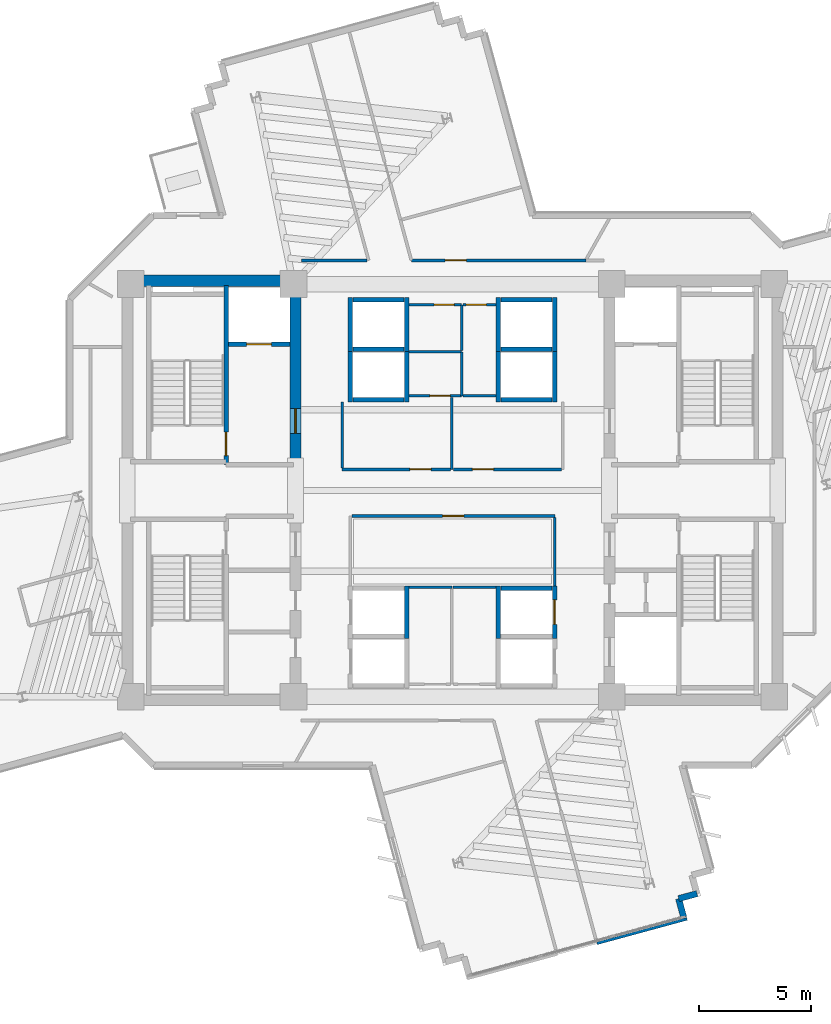
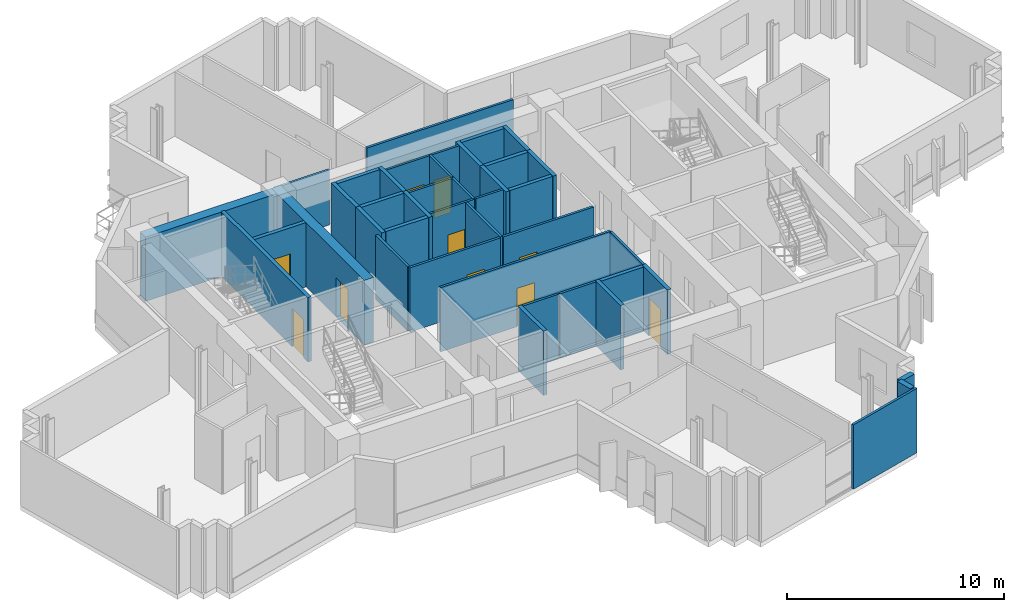
# One storey, part 9 of 15: 42 walls, 11 doors, 11 openings.
"""IFC4 building model written with IfcOpenShell, lengths in metres."""

from ifc_helpers import new_model, si_unit, direction, frame, frame_2d, origin, place, context, subcontext, project, spatial, rectangle, extrude, source, transform, mapped, material, layer, layer_set, type_object, element, fill, save


model = new_model("IFC4")

# Units and contexts
model_context = context("Model", 3, precision=1e-05, world=origin(), true_north=direction((0.0, 1.0)))
body_context = subcontext(model_context, "Body", "Model", "MODEL_VIEW")
ifc_project = project(units=[si_unit("LENGTHUNIT", "METRE"), si_unit("AREAUNIT", "SQUARE_METRE"), si_unit("VOLUMEUNIT", "CUBIC_METRE"), si_unit("PLANEANGLEUNIT", "RADIAN"), si_unit("MASSUNIT", "GRAM", prefix="KILO")], contexts=[model_context])

# Site, building, storey
site_placement = place(None, origin())
site = spatial("IfcSite", under=ifc_project, at=site_placement, CompositionType="ELEMENT")
building_placement = place(site_placement, origin())
building = spatial("IfcBuilding", under=site, at=building_placement, Name="Zahravan Cultural Tower", CompositionType="ELEMENT")
storey_placement = place(building_placement, frame((0.0, 0.0, 198.0)))
storey = spatial("IfcBuildingStorey", under=building, at=storey_placement, Name="L46", CompositionType="ELEMENT", Elevation=198.0)

# Wall, opening, door
ifc_material_1 = material(Name="Concrete C60/75", Category="concrete")
ifc_layer_1 = layer(ifc_material_1, 0.5)
ifc_layer_set_1 = layer_set([ifc_layer_1], Name="Concrete C60/75")
wall_type_1 = type_object("IfcWallType", Name="CW-SHEAR-500-C60", PredefinedType="SHEAR", material=ifc_layer_set_1)
wall_1_placement = place(storey_placement, frame((29.0, 28.050048828125, 0.0), z_axis=(0.0, 0.0, 1.0), x_axis=(0.0, 1.0, 0.0)))
wall_1 = element("IfcWall", 1, at=wall_1_placement, inside=storey, type_object=wall_type_1, Name="L46 Core Shear Wall CW-W-EN-L46", PredefinedType="SHEAR", context=body_context, shape_type="SweptSolid", body=[
    extrude(rectangle(XDim=8.550048828125, YDim=0.5, at=frame_2d((4.27490234375, 0.0))), origin(), (0.0, 0.0, 1.0), 3.6201171875),
])
opening_1_placement = place(wall_1_placement, frame((1.5, 0.0, 0.0)))
opening_1 = element("IfcOpeningElement", 2, at=opening_1_placement, cuts=wall_1, Name="Opening D-L46-05", PredefinedType="OPENING", context=body_context, shape_type="SweptSolid", body=[
    extrude(rectangle(XDim=1.10009765625, YDim=2.199951171875, at=frame_2d((0.550048828125, 1.10009765625))), frame((0.0, 0.260009765625, 0.0), z_axis=(0.0, -1.0, 0.0), x_axis=(1.0, 0.0, 0.0)), (0.0, 0.0, 1.0), 0.52001953125),
])
ifc_material_2 = material(Name="Steel ASTM A572 Grade 50", Category="steel")
door_type_1 = type_object("IfcDoorType", Name="DR-LOBBY-1100", OperationType="NOTDEFINED", PredefinedType="DOOR", material=ifc_material_2)
shared_shape_1 = source(origin(), body_context, "Body", "SweptSolid", [
    extrude(rectangle(XDim=1.10009765625, YDim=2.199951171875, at=frame_2d((0.550048828125, 1.10009765625))), frame((0.0, 0.02490234375, 0.0), z_axis=(0.0, -1.0, 0.0), x_axis=(1.0, 0.0, 0.0)), (0.0, 0.0, 1.0), 0.050048828125),
])
door_1_placement = place(opening_1_placement, origin())
door_1 = element("IfcDoor", 3, at=door_1_placement, inside=storey, type_object=door_type_1, Name="L46 Door D-L46-05", OperationType="SINGLE_SWING_LEFT", OverallHeight=2.199951171875, OverallWidth=1.10009765625, PredefinedType="DOOR", context=body_context, shape_type="MappedRepresentation", body=[
    mapped(shared_shape_1, transform((0.0, 0.0, 0.0), x_axis=(1.0, 0.0, 0.0), y_axis=(0.0, 1.0, 0.0), z_axis=(0.0, 0.0, 1.0), scale=1.0)),
])
fill(opening_1, door_1)

ifc_material_3 = material(Name="Gypsum plasterboard partition")
ifc_layer_2 = layer(ifc_material_3, 0.125)
ifc_layer_set_2 = layer_set([ifc_layer_2], Name="Gypsum plasterboard partition")
wall_type_2 = type_object("IfcWallType", Name="W-PART-125", PredefinedType="PARTITIONING", material=ifc_layer_set_2)
wall_2_placement = place(storey_placement, frame((35.902587890625, 27.93994140625, 0.0), z_axis=(0.0, 0.0, 1.0), x_axis=(-1.0, 0.0, 0.0)))
wall_2 = element("IfcWall", 4, at=wall_2_placement, inside=storey, type_object=wall_type_2, Name="L46 Interior Wall 069", PredefinedType="PARTITIONING", context=body_context, shape_type="SweptSolid", body=[
    extrude(rectangle(XDim=4.822509765625, YDim=0.125, at=frame_2d((2.4111328125, 0.0))), origin(), (0.0, 0.0, 1.0), 3.6201171875),
])
opening_2_placement = place(wall_2_placement, frame((0.85205078125, 0.0, 0.0)))
opening_2 = element("IfcOpeningElement", 5, at=opening_2_placement, cuts=wall_2, Name="Opening D-L46-16", PredefinedType="OPENING", context=body_context, shape_type="SweptSolid", body=[
    extrude(rectangle(XDim=0.949951171875, YDim=2.14990234375, at=frame_2d((0.47509765625, 1.074951171875))), frame((0.0, 0.072509765625, 0.0), z_axis=(0.0, -1.0, 0.0), x_axis=(1.0, 0.0, 0.0)), (0.0, 0.0, 1.0), 0.14501953125),
])
ifc_material_4 = material(Name="Anodised bronze-aluminium mullion", Category="aluminium")
door_type_2 = type_object("IfcDoorType", Name="DR-ROOM-950", OperationType="NOTDEFINED", PredefinedType="DOOR", material=ifc_material_4)
shared_shape_2 = source(origin(), body_context, "Body", "SweptSolid", [
    extrude(rectangle(XDim=0.949951171875, YDim=2.14990234375, at=frame_2d((0.47509765625, 1.074951171875))), frame((0.0, 0.02490234375, 0.0), z_axis=(0.0, -1.0, 0.0), x_axis=(1.0, 0.0, 0.0)), (0.0, 0.0, 1.0), 0.050048828125),
])
door_2_placement = place(opening_2_placement, origin())
door_2 = element("IfcDoor", 6, at=door_2_placement, inside=storey, type_object=door_type_2, Name="L46 Door D-L46-16", OperationType="SINGLE_SWING_RIGHT", OverallHeight=2.14990234375, OverallWidth=0.949951171875, PredefinedType="DOOR", context=body_context, shape_type="MappedRepresentation", body=[
    mapped(shared_shape_2, transform((0.0, 0.0, 0.0), x_axis=(1.0, 0.0, 0.0), y_axis=(0.0, 1.0, 0.0), z_axis=(0.0, 0.0, 1.0), scale=1.0)),
])
fill(opening_2, door_2)

wall_3_placement = place(storey_placement, frame((40.8525390625, 27.93994140625, 0.0), z_axis=(0.0, 0.0, 1.0), x_axis=(-1.0, 0.0, 0.0)))
wall_3 = element("IfcWall", 7, at=wall_3_placement, inside=storey, type_object=wall_type_2, Name="L46 Interior Wall 072", PredefinedType="PARTITIONING", context=body_context, shape_type="SweptSolid", body=[
    extrude(rectangle(XDim=4.81494140625, YDim=0.125, at=frame_2d((2.407470703125, 0.0))), origin(), (0.0, 0.0, 1.0), 3.6201171875),
])
opening_3_placement = place(wall_3_placement, frame((3.0146484375, 0.0, 0.0)))
opening_3 = element("IfcOpeningElement", 8, at=opening_3_placement, cuts=wall_3, Name="Opening D-L46-17", PredefinedType="OPENING", context=body_context, shape_type="SweptSolid", body=[
    extrude(rectangle(XDim=0.949951171875, YDim=2.14990234375, at=frame_2d((0.47509765625, 1.074951171875))), frame((0.0, 0.072509765625, 0.0), z_axis=(0.0, -1.0, 0.0), x_axis=(1.0, 0.0, 0.0)), (0.0, 0.0, 1.0), 0.14501953125),
])
door_3_placement = place(opening_3_placement, origin())
door_3 = element("IfcDoor", 9, at=door_3_placement, inside=storey, type_object=door_type_2, Name="L46 Door D-L46-17", OperationType="SINGLE_SWING_LEFT", OverallHeight=2.14990234375, OverallWidth=0.949951171875, PredefinedType="DOOR", context=body_context, shape_type="MappedRepresentation", body=[
    mapped(shared_shape_2, transform((0.0, 0.0, 0.0), x_axis=(1.0, 0.0, 0.0), y_axis=(0.0, 1.0, 0.0), z_axis=(0.0, 0.0, 1.0), scale=1.0)),
])
fill(opening_3, door_3)

wall_4_placement = place(storey_placement, frame((41.955322265625, 37.260009765625, 0.0), z_axis=(0.0, 0.0, 1.0), x_axis=(-1.0, 0.0, 0.0)))
wall_4 = element("IfcWall", 10, at=wall_4_placement, inside=storey, type_object=wall_type_2, Name="L46 Interior Wall 073", PredefinedType="PARTITIONING", context=body_context, shape_type="SweptSolid", body=[
    extrude(rectangle(XDim=7.78955078125, YDim=0.125, at=frame_2d((3.894775390625, 0.0))), origin(), (0.0, 0.0, 1.0), 3.6201171875),
])
opening_4_placement = place(wall_4_placement, frame((5.3349609375, 0.0, 0.0)))
opening_4 = element("IfcOpeningElement", 11, at=opening_4_placement, cuts=wall_4, Name="Opening D-L46-21", PredefinedType="OPENING", context=body_context, shape_type="SweptSolid", body=[
    extrude(rectangle(XDim=0.949951171875, YDim=2.14990234375, at=frame_2d((0.47509765625, 1.074951171875))), frame((0.0, 0.072509765625, 0.0), z_axis=(0.0, -1.0, 0.0), x_axis=(1.0, 0.0, 0.0)), (0.0, 0.0, 1.0), 0.14501953125),
])
door_4_placement = place(opening_4_placement, origin())
door_4 = element("IfcDoor", 12, at=door_4_placement, inside=storey, type_object=door_type_2, Name="L46 Door D-L46-21", OperationType="SINGLE_SWING_LEFT", OverallHeight=2.14990234375, OverallWidth=0.949951171875, PredefinedType="DOOR", context=body_context, shape_type="MappedRepresentation", body=[
    mapped(shared_shape_2, transform((0.0, 0.0, 0.0), x_axis=(1.0, 0.0, 0.0), y_axis=(0.0, 1.0, 0.0), z_axis=(0.0, 0.0, 1.0), scale=1.0)),
])
fill(opening_4, door_4)

wall_5_placement = place(storey_placement, frame((31.507568359375, 25.860107421875, 0.0), z_axis=(0.0, 0.0, 1.0), x_axis=(1.0, 0.0, 0.0)))
wall_5 = element("IfcWall", 13, at=wall_5_placement, inside=storey, type_object=wall_type_2, Name="L46 Interior Wall 082", PredefinedType="PARTITIONING", context=body_context, shape_type="SweptSolid", body=[
    extrude(rectangle(XDim=9.052490234375, YDim=0.125, at=frame_2d((4.5263671875, 0.0))), origin(), (0.0, 0.0, 1.0), 3.6201171875),
])
opening_5_placement = place(wall_5_placement, frame((4.05126953125, 0.0, 0.0)))
opening_5 = element("IfcOpeningElement", 14, at=opening_5_placement, cuts=wall_5, Name="Opening D-L46-13", PredefinedType="OPENING", context=body_context, shape_type="SweptSolid", body=[
    extrude(rectangle(XDim=0.949951171875, YDim=2.14990234375, at=frame_2d((0.47509765625, 1.074951171875))), frame((0.0, 0.072509765625, 0.0), z_axis=(0.0, -1.0, 0.0), x_axis=(1.0, 0.0, 0.0)), (0.0, 0.0, 1.0), 0.14501953125),
])
door_5_placement = place(opening_5_placement, origin())
door_5 = element("IfcDoor", 15, at=door_5_placement, inside=storey, type_object=door_type_2, Name="L46 Door D-L46-13", OperationType="SINGLE_SWING_LEFT", OverallHeight=2.14990234375, OverallWidth=0.949951171875, PredefinedType="DOOR", context=body_context, shape_type="MappedRepresentation", body=[
    mapped(shared_shape_2, transform((0.0, 0.0, 0.0), x_axis=(1.0, 0.0, 0.0), y_axis=(0.0, 1.0, 0.0), z_axis=(0.0, 0.0, 1.0), scale=1.0)),
])
fill(opening_5, door_5)

ifc_material_5 = material(Name="Concrete C45/55", Category="concrete")
ifc_layer_3 = layer(ifc_material_5, 0.199951171875)
ifc_layer_set_3 = layer_set([ifc_layer_3], Name="Concrete C45/55")
wall_type_3 = type_object("IfcWallType", Name="W-SHAFT-200", PredefinedType="SOLIDWALL", material=ifc_layer_set_3)
wall_6_placement = place(storey_placement, frame((25.89990234375, 28.14990234375, 0.0), z_axis=(0.0, 0.0, 1.0), x_axis=(0.0, 1.0, 0.0)))
wall_6 = element("IfcWall", 16, at=wall_6_placement, inside=storey, type_object=wall_type_3, Name="L46 Interior Wall 006", PredefinedType="SOLIDWALL", context=body_context, shape_type="SweptSolid", body=[
    extrude(rectangle(XDim=8.0, YDim=0.199951171875, at=frame_2d((4.0, 0.0))), origin(), (0.0, 0.0, 1.0), 3.6201171875),
])
opening_6_placement = place(wall_6_placement, frame((0.39990234375, 0.0, 0.0)))
opening_6 = element("IfcOpeningElement", 17, at=opening_6_placement, cuts=wall_6, Name="Opening D-L46-01", PredefinedType="OPENING", context=body_context, shape_type="SweptSolid", body=[
    extrude(rectangle(XDim=1.050048828125, YDim=2.14990234375, at=frame_2d((0.52490234375, 1.074951171875))), frame((0.0, 0.10986328125, 0.0), z_axis=(0.0, -1.0, 0.0), x_axis=(1.0, 0.0, 0.0)), (0.0, 0.0, 1.0), 0.219970703125),
])
door_type_3 = type_object("IfcDoorType", Name="DR-STAIR-1050", OperationType="NOTDEFINED", PredefinedType="DOOR", material=ifc_material_2)
shared_shape_3 = source(origin(), body_context, "Body", "SweptSolid", [
    extrude(rectangle(XDim=1.050048828125, YDim=2.14990234375, at=frame_2d((0.52490234375, 1.074951171875))), frame((0.0, 0.02490234375, 0.0), z_axis=(0.0, -1.0, 0.0), x_axis=(1.0, 0.0, 0.0)), (0.0, 0.0, 1.0), 0.050048828125),
])
door_6_placement = place(opening_6_placement, origin())
door_6 = element("IfcDoor", 18, at=door_6_placement, inside=storey, type_object=door_type_3, Name="L46 Door D-L46-01", OperationType="SINGLE_SWING_LEFT", OverallHeight=2.14990234375, OverallWidth=1.050048828125, PredefinedType="DOOR", context=body_context, shape_type="MappedRepresentation", body=[
    mapped(shared_shape_3, transform((0.0, 0.0, 0.0), x_axis=(1.0, 0.0, 0.0), y_axis=(0.0, 1.0, 0.0), z_axis=(0.0, 0.0, 1.0), scale=1.0)),
])
fill(opening_6, door_6)

wall_7_placement = place(storey_placement, frame((26.0, 33.52001953125, 0.0), z_axis=(0.0, 0.0, 1.0), x_axis=(1.0, 0.0, 0.0)))
wall_7 = element("IfcWall", 19, at=wall_7_placement, inside=storey, type_object=wall_type_3, Name="L46 Interior Wall 021", PredefinedType="SOLIDWALL", context=body_context, shape_type="SweptSolid", body=[
    extrude(rectangle(XDim=2.75, YDim=0.199951171875, at=frame_2d((1.375, 0.0))), origin(), (0.0, 0.0, 1.0), 3.6201171875),
])
opening_7_placement = place(wall_7_placement, frame((0.820068359375, 0.0, 0.0)))
opening_7 = element("IfcOpeningElement", 20, at=opening_7_placement, cuts=wall_7, Name="Opening LD-L46-01", PredefinedType="OPENING", context=body_context, shape_type="SweptSolid", body=[
    extrude(rectangle(XDim=1.10009765625, YDim=2.14990234375, at=frame_2d((0.550048828125, 1.074951171875))), frame((0.0, 0.10986328125, 0.0), z_axis=(0.0, -1.0, 0.0), x_axis=(1.0, 0.0, 0.0)), (0.0, 0.0, 1.0), 0.219970703125),
])
door_type_4 = type_object("IfcDoorType", Name="DR-LIFT-1100", OperationType="DOUBLE_DOOR_SLIDING", PredefinedType="DOOR", material=ifc_material_2)
shared_shape_4 = source(origin(), body_context, "Body", "SweptSolid", [
    extrude(rectangle(XDim=1.10009765625, YDim=2.14990234375, at=frame_2d((0.550048828125, 1.074951171875))), frame((0.0, 0.02490234375, 0.0), z_axis=(0.0, -1.0, 0.0), x_axis=(1.0, 0.0, 0.0)), (0.0, 0.0, 1.0), 0.050048828125),
])
door_7_placement = place(opening_7_placement, origin())
door_7 = element("IfcDoor", 21, at=door_7_placement, inside=storey, type_object=door_type_4, Name="L46 Door LD-L46-01", OperationType="DOUBLE_DOOR_SLIDING", OverallHeight=2.14990234375, OverallWidth=1.10009765625, PredefinedType="DOOR", context=body_context, shape_type="MappedRepresentation", body=[
    mapped(shared_shape_4, transform((0.0, 0.0, 0.0), x_axis=(1.0, 0.0, 0.0), y_axis=(0.0, 1.0, 0.0), z_axis=(0.0, 0.0, 1.0), scale=1.0)),
])
fill(opening_7, door_7)

wall_8_placement = place(storey_placement, frame((40.550048828125, 20.39990234375, 0.0), z_axis=(0.0, 0.0, 1.0), x_axis=(0.0, 1.0, 0.0)))
wall_8 = element("IfcWall", 22, at=wall_8_placement, inside=storey, type_object=wall_type_3, Name="L46 Interior Wall 050", PredefinedType="SOLIDWALL", context=body_context, shape_type="SweptSolid", body=[
    extrude(rectangle(XDim=2.35009765625, YDim=0.199951171875, at=frame_2d((1.175048828125, 0.0))), origin(), (0.0, 0.0, 1.0), 3.6201171875),
])
opening_8_placement = place(wall_8_placement, frame((0.625, 0.0, 0.0)))
opening_8 = element("IfcOpeningElement", 23, at=opening_8_placement, cuts=wall_8, Name="Opening LD-L46-06", PredefinedType="OPENING", context=body_context, shape_type="SweptSolid", body=[
    extrude(rectangle(XDim=1.10009765625, YDim=2.14990234375, at=frame_2d((0.550048828125, 1.074951171875))), frame((0.0, 0.10986328125, 0.0), z_axis=(0.0, -1.0, 0.0), x_axis=(1.0, 0.0, 0.0)), (0.0, 0.0, 1.0), 0.219970703125),
])
door_8_placement = place(opening_8_placement, origin())
door_8 = element("IfcDoor", 24, at=door_8_placement, inside=storey, type_object=door_type_4, Name="L46 Door LD-L46-06", OperationType="DOUBLE_DOOR_SLIDING", OverallHeight=2.14990234375, OverallWidth=1.10009765625, PredefinedType="DOOR", context=body_context, shape_type="MappedRepresentation", body=[
    mapped(shared_shape_4, transform((0.0, 0.0, 0.0), x_axis=(1.0, 0.0, 0.0), y_axis=(0.0, 1.0, 0.0), z_axis=(0.0, 0.0, 1.0), scale=1.0)),
])
fill(opening_8, door_8)

ifc_layer_4 = layer(ifc_material_3, 0.114990234375)
ifc_layer_set_4 = layer_set([ifc_layer_4], Name="Gypsum plasterboard partition")
wall_type_4 = type_object("IfcWallType", Name="W-WC-115", PredefinedType="PARTITIONING", material=ifc_layer_set_4)
wall_9_placement = place(storey_placement, frame((36.409912109375, 31.219970703125, 0.0), z_axis=(0.0, 0.0, 1.0), x_axis=(-1.0, 0.0, 0.0)))
wall_9 = element("IfcWall", 25, at=wall_9_placement, inside=storey, type_object=wall_type_4, Name="L46 Interior Wall 056", PredefinedType="PARTITIONING", context=body_context, shape_type="SweptSolid", body=[
    extrude(rectangle(XDim=2.35498046875, YDim=0.114990234375, at=frame_2d((1.177490234375, 0.0))), origin(), (0.0, 0.0, 1.0), 3.6201171875),
])
opening_9_placement = place(wall_9_placement, frame((0.5166015625, 0.0, 0.0)))
opening_9 = element("IfcOpeningElement", 26, at=opening_9_placement, cuts=wall_9, Name="Opening D-L46-28", PredefinedType="OPENING", context=body_context, shape_type="SweptSolid", body=[
    extrude(rectangle(XDim=0.89990234375, YDim=2.10009765625, at=frame_2d((0.449951171875, 1.050048828125))), frame((0.0, 0.0673828125, 0.0), z_axis=(0.0, -1.0, 0.0), x_axis=(1.0, 0.0, 0.0)), (0.0, 0.0, 1.0), 0.135009765625),
])
door_type_5 = type_object("IfcDoorType", Name="DR-WC-900", OperationType="NOTDEFINED", PredefinedType="DOOR", material=ifc_material_4)
shared_shape_5 = source(origin(), body_context, "Body", "SweptSolid", [
    extrude(rectangle(XDim=0.89990234375, YDim=2.10009765625, at=frame_2d((0.449951171875, 1.050048828125))), frame((0.0, 0.02490234375, 0.0), z_axis=(0.0, -1.0, 0.0), x_axis=(1.0, 0.0, 0.0)), (0.0, 0.0, 1.0), 0.050048828125),
])
door_9_placement = place(opening_9_placement, origin())
door_9 = element("IfcDoor", 27, at=door_9_placement, inside=storey, type_object=door_type_5, Name="L46 Door D-L46-28", OperationType="SINGLE_SWING_RIGHT", OverallHeight=2.10009765625, OverallWidth=0.89990234375, PredefinedType="DOOR", context=body_context, shape_type="MappedRepresentation", body=[
    mapped(shared_shape_5, transform((0.0, 0.0, 0.0), x_axis=(1.0, 0.0, 0.0), y_axis=(0.0, 1.0, 0.0), z_axis=(0.0, 0.0, 1.0), scale=1.0)),
])
fill(opening_9, door_9)

wall_10_placement = place(storey_placement, frame((34.054931640625, 35.280029296875, 0.0), z_axis=(0.0, 0.0, 1.0), x_axis=(1.0, 0.0, 0.0)))
wall_10 = element("IfcWall", 28, at=wall_10_placement, inside=storey, type_object=wall_type_4, Name="L46 Interior Wall 059", PredefinedType="PARTITIONING", context=body_context, shape_type="SweptSolid", body=[
    extrude(rectangle(XDim=2.35498046875, YDim=0.114990234375, at=frame_2d((1.177490234375, 0.0))), origin(), (0.0, 0.0, 1.0), 3.6201171875),
])
opening_10_placement = place(wall_10_placement, frame((1.120849609375, 0.0, 0.0)))
opening_10 = element("IfcOpeningElement", 29, at=opening_10_placement, cuts=wall_10, Name="Opening D-L46-14", PredefinedType="OPENING", context=body_context, shape_type="SweptSolid", body=[
    extrude(rectangle(XDim=0.89990234375, YDim=2.10009765625, at=frame_2d((0.449951171875, 1.050048828125))), frame((0.0, 0.0673828125, 0.0), z_axis=(0.0, -1.0, 0.0), x_axis=(1.0, 0.0, 0.0)), (0.0, 0.0, 1.0), 0.135009765625),
])
door_10_placement = place(opening_10_placement, origin())
door_10 = element("IfcDoor", 30, at=door_10_placement, inside=storey, type_object=door_type_5, Name="L46 Door D-L46-14", OperationType="SINGLE_SWING_RIGHT", OverallHeight=2.10009765625, OverallWidth=0.89990234375, PredefinedType="DOOR", context=body_context, shape_type="MappedRepresentation", body=[
    mapped(shared_shape_5, transform((0.0, 0.0, 0.0), x_axis=(1.0, 0.0, 0.0), y_axis=(0.0, 1.0, 0.0), z_axis=(0.0, 0.0, 1.0), scale=1.0)),
])
fill(opening_10, door_10)

wall_11_placement = place(storey_placement, frame((36.472412109375, 35.280029296875, 0.0), z_axis=(0.0, 0.0, 1.0), x_axis=(1.0, 0.0, 0.0)))
wall_11 = element("IfcWall", 31, at=wall_11_placement, inside=storey, type_object=wall_type_4, Name="L46 Interior Wall 062", PredefinedType="PARTITIONING", context=body_context, shape_type="SweptSolid", body=[
    extrude(rectangle(XDim=1.47265625, YDim=0.114990234375, at=frame_2d((0.736328125, 0.0))), origin(), (0.0, 0.0, 1.0), 3.6201171875),
])
opening_11_placement = place(wall_11_placement, frame((0.139892578125, 0.0, 0.0)))
opening_11 = element("IfcOpeningElement", 32, at=opening_11_placement, cuts=wall_11, Name="Opening D-L46-15", PredefinedType="OPENING", context=body_context, shape_type="SweptSolid", body=[
    extrude(rectangle(XDim=0.89990234375, YDim=2.10009765625, at=frame_2d((0.449951171875, 1.050048828125))), frame((0.0, 0.0673828125, 0.0), z_axis=(0.0, -1.0, 0.0), x_axis=(1.0, 0.0, 0.0)), (0.0, 0.0, 1.0), 0.135009765625),
])
door_11_placement = place(opening_11_placement, origin())
door_11 = element("IfcDoor", 33, at=door_11_placement, inside=storey, type_object=door_type_5, Name="L46 Door D-L46-15", OperationType="SINGLE_SWING_LEFT", OverallHeight=2.10009765625, OverallWidth=0.89990234375, PredefinedType="DOOR", context=body_context, shape_type="MappedRepresentation", body=[
    mapped(shared_shape_5, transform((0.0, 0.0, 0.0), x_axis=(1.0, 0.0, 0.0), y_axis=(0.0, 1.0, 0.0), z_axis=(0.0, 0.0, 1.0), scale=1.0)),
])
fill(opening_11, door_11)

# Walls
shared_shape_6 = source(origin(), body_context, "Body", "SweptSolid", [
    extrude(rectangle(XDim=7.0, YDim=0.5, at=frame_2d((3.5, 0.0))), origin(), (0.0, 0.0, 1.0), 3.6201171875),
])
wall_12_placement = place(storey_placement, frame((21.75, 36.35009765625, 0.0), z_axis=(0.0, 0.0, 1.0), x_axis=(1.0, 0.0, 0.0)))
element("IfcWall", 34, at=wall_12_placement, inside=storey, type_object=wall_type_1, Name="L46 Core Shear Wall CW-W-N-L46", PredefinedType="SHEAR", context=body_context, shape_type="MappedRepresentation", body=[
    mapped(shared_shape_6, transform((0.0, 0.0, 0.0), x_axis=(1.0, 0.0, 0.0), y_axis=(0.0, 1.0, 0.0), z_axis=(0.0, 0.0, 1.0), scale=1.0)),
])
ifc_material_6 = material(Name="Precast concrete C40/50", Category="concrete")
ifc_layer_5 = layer(ifc_material_6, 0.280029296875)
ifc_layer_set_5 = layer_set([ifc_layer_5], Name="Precast concrete C40/50")
wall_type_5 = type_object("IfcWallType", Name="EW-TC-280", PredefinedType="SOLIDWALL", material=ifc_layer_set_5)
shared_shape_7 = source(origin(), body_context, "Body", "SweptSolid", [
    extrude(rectangle(XDim=0.85009765625, YDim=0.280029296875, at=frame_2d((0.425048828125, 0.0))), origin(), (0.0, 0.0, 1.0), 3.6201171875),
])
for number, where, z_axis, x_axis, name in (
    (35, (46.905517578125, 9.020263671875, 0.0), (0.0, 0.0, 1.0), (-0.965081274591, -0.261950631675, 0.0), "L46 Exterior Masonry Frame Wall 18"),
    (36, (46.085205078125, 8.797607421875, 0.0), (0.0, 0.0, 1.0), (0.262218119094, -0.965008631059, 0.0), "L46 Exterior Masonry Frame Wall 19"),
):
    element("IfcWall", number, at=place(storey_placement, frame(where, z_axis=z_axis, x_axis=x_axis)), inside=storey, type_object=wall_type_5, Name=name, PredefinedType="SOLIDWALL", context=body_context, shape_type="MappedRepresentation", body=[
        mapped(shared_shape_7, transform((0.0, 0.0, 0.0), x_axis=(1.0, 0.0, 0.0), y_axis=(0.0, 1.0, 0.0), z_axis=(0.0, 0.0, 1.0), scale=1.0)),
    ])
shared_shape_8 = source(origin(), body_context, "Body", "SweptSolid", [
    extrude(rectangle(XDim=2.400146484375, YDim=0.199951171875, at=frame_2d((1.2001953125, 0.0))), origin(), (0.0, 0.0, 1.0), 3.6201171875),
])
for number, where, z_axis, x_axis, name in (
    (37, (31.449951171875, 33.199951171875, 0.0), (0.0, 0.0, 1.0), (0.0, 1.0, 0.0), "L46 Interior Wall 028"),
    (38, (33.949951171875, 33.199951171875, 0.0), (0.0, 0.0, 1.0), (0.0, 1.0, 0.0), "L46 Interior Wall 029"),
    (39, (31.449951171875, 30.949951171875, 0.0), (0.0, 0.0, 1.0), (0.0, 1.0, 0.0), "L46 Interior Wall 032"),
    (40, (33.949951171875, 30.949951171875, 0.0), (0.0, 0.0, 1.0), (0.0, 1.0, 0.0), "L46 Interior Wall 033"),
    (41, (38.050048828125, 33.199951171875, 0.0), (0.0, 0.0, 1.0), (0.0, 1.0, 0.0), "L46 Interior Wall 035"),
    (42, (40.550048828125, 33.199951171875, 0.0), (0.0, 0.0, 1.0), (0.0, 1.0, 0.0), "L46 Interior Wall 036"),
    (43, (38.050048828125, 30.949951171875, 0.0), (0.0, 0.0, 1.0), (0.0, 1.0, 0.0), "L46 Interior Wall 039"),
    (44, (40.550048828125, 30.949951171875, 0.0), (0.0, 0.0, 1.0), (0.0, 1.0, 0.0), "L46 Interior Wall 040"),
):
    element("IfcWall", number, at=place(storey_placement, frame(where, z_axis=z_axis, x_axis=x_axis)), inside=storey, type_object=wall_type_3, Name=name, PredefinedType="SOLIDWALL", context=body_context, shape_type="MappedRepresentation", body=[
        mapped(shared_shape_8, transform((0.0, 0.0, 0.0), x_axis=(1.0, 0.0, 0.0), y_axis=(0.0, 1.0, 0.0), z_axis=(0.0, 0.0, 1.0), scale=1.0)),
    ])
shared_shape_9 = source(origin(), body_context, "Body", "SweptSolid", [
    extrude(rectangle(XDim=2.260009765625, YDim=0.199951171875, at=frame_2d((1.1298828125, 0.0))), origin(), (0.0, 0.0, 1.0), 3.6201171875),
])
for number, where, z_axis, x_axis, name in (
    (45, (31.570068359375, 33.300048828125, 0.0), (0.0, 0.0, 1.0), (1.0, 0.0, 0.0), "L46 Interior Wall 030"),
    (46, (31.570068359375, 35.5, 0.0), (0.0, 0.0, 1.0), (1.0, 0.0, 0.0), "L46 Interior Wall 031"),
    (47, (31.570068359375, 31.050048828125, 0.0), (0.0, 0.0, 1.0), (1.0, 0.0, 0.0), "L46 Interior Wall 034"),
    (48, (38.169921875, 33.300048828125, 0.0), (0.0, 0.0, 1.0), (1.0, 0.0, 0.0), "L46 Interior Wall 037"),
    (49, (38.169921875, 35.5, 0.0), (0.0, 0.0, 1.0), (1.0, 0.0, 0.0), "L46 Interior Wall 038"),
    (50, (38.169921875, 31.050048828125, 0.0), (0.0, 0.0, 1.0), (1.0, 0.0, 0.0), "L46 Interior Wall 041"),
    (51, (38.169921875, 22.64990234375, 0.0), (0.0, 0.0, 1.0), (1.0, 0.0, 0.0), "L46 Interior Wall 052"),
):
    element("IfcWall", number, at=place(storey_placement, frame(where, z_axis=z_axis, x_axis=x_axis)), inside=storey, type_object=wall_type_3, Name=name, PredefinedType="SOLIDWALL", context=body_context, shape_type="MappedRepresentation", body=[
        mapped(shared_shape_9, transform((0.0, 0.0, 0.0), x_axis=(1.0, 0.0, 0.0), y_axis=(0.0, 1.0, 0.0), z_axis=(0.0, 0.0, 1.0), scale=1.0)),
    ])
shared_shape_10 = source(origin(), body_context, "Body", "SweptSolid", [
    extrude(rectangle(XDim=2.35009765625, YDim=0.199951171875, at=frame_2d((1.175048828125, 0.0))), origin(), (0.0, 0.0, 1.0), 3.6201171875),
])
for number, where, z_axis, x_axis, name in (
    (52, (33.949951171875, 20.39990234375, 0.0), (0.0, 0.0, 1.0), (0.0, 1.0, 0.0), "L46 Interior Wall 043"),
    (53, (38.050048828125, 20.39990234375, 0.0), (0.0, 0.0, 1.0), (0.0, 1.0, 0.0), "L46 Interior Wall 049"),
):
    element("IfcWall", number, at=place(storey_placement, frame(where, z_axis=z_axis, x_axis=x_axis)), inside=storey, type_object=wall_type_3, Name=name, PredefinedType="SOLIDWALL", context=body_context, shape_type="MappedRepresentation", body=[
        mapped(shared_shape_10, transform((0.0, 0.0, 0.0), x_axis=(1.0, 0.0, 0.0), y_axis=(0.0, 1.0, 0.0), z_axis=(0.0, 0.0, 1.0), scale=1.0)),
    ])
shared_shape_11 = source(origin(), body_context, "Body", "SweptSolid", [
    extrude(rectangle(XDim=1.9599609375, YDim=0.114990234375, at=frame_2d((0.97998046875, 0.0))), origin(), (0.0, 0.0, 1.0), 3.6201171875),
])
wall_13_placement = place(storey_placement, frame((36.409912109375, 33.179931640625, 0.0), z_axis=(0.0, 0.0, 1.0), x_axis=(0.0, -1.0, 0.0)))
element("IfcWall", 54, at=wall_13_placement, inside=storey, type_object=wall_type_4, Name="L46 Interior Wall 058", PredefinedType="PARTITIONING", context=body_context, shape_type="MappedRepresentation", body=[
    mapped(shared_shape_11, transform((0.0, 0.0, 0.0), x_axis=(1.0, 0.0, 0.0), y_axis=(0.0, 1.0, 0.0), z_axis=(0.0, 0.0, 1.0), scale=1.0)),
])
shared_shape_12 = source(origin(), body_context, "Body", "SweptSolid", [
    extrude(rectangle(XDim=2.0400390625, YDim=0.114990234375, at=frame_2d((1.02001953125, 0.0))), origin(), (0.0, 0.0, 1.0), 3.6201171875),
])
wall_14_placement = place(storey_placement, frame((36.409912109375, 35.280029296875, 0.0), z_axis=(0.0, 0.0, 1.0), x_axis=(0.0, -1.0, 0.0)))
element("IfcWall", 55, at=wall_14_placement, inside=storey, type_object=wall_type_4, Name="L46 Interior Wall 060", PredefinedType="PARTITIONING", context=body_context, shape_type="MappedRepresentation", body=[
    mapped(shared_shape_12, transform((0.0, 0.0, 0.0), x_axis=(1.0, 0.0, 0.0), y_axis=(0.0, 1.0, 0.0), z_axis=(0.0, 0.0, 1.0), scale=1.0)),
])
shared_shape_13 = source(origin(), body_context, "Body", "SweptSolid", [
    extrude(rectangle(XDim=1.47265625, YDim=0.114990234375, at=frame_2d((0.736328125, 0.0))), origin(), (0.0, 0.0, 1.0), 3.6201171875),
])
wall_15_placement = place(storey_placement, frame((37.945068359375, 31.219970703125, 0.0), z_axis=(0.0, 0.0, 1.0), x_axis=(-1.0, 0.0, 0.0)))
element("IfcWall", 56, at=wall_15_placement, inside=storey, type_object=wall_type_4, Name="L46 Interior Wall 061", PredefinedType="PARTITIONING", context=body_context, shape_type="MappedRepresentation", body=[
    mapped(shared_shape_13, transform((0.0, 0.0, 0.0), x_axis=(1.0, 0.0, 0.0), y_axis=(0.0, 1.0, 0.0), z_axis=(0.0, 0.0, 1.0), scale=1.0)),
])
shared_shape_14 = source(origin(), body_context, "Body", "SweptSolid", [
    extrude(rectangle(XDim=3.04248046875, YDim=0.125, at=frame_2d((1.521240234375, 0.0))), origin(), (0.0, 0.0, 1.0), 3.6201171875),
])
wall_16_placement = place(storey_placement, frame((40.56005859375, 25.79248046875, 0.0), z_axis=(0.0, 0.0, 1.0), x_axis=(0.0, -1.0, 0.0)))
element("IfcWall", 57, at=wall_16_placement, inside=storey, type_object=wall_type_2, Name="L46 Interior Wall 083", PredefinedType="PARTITIONING", context=body_context, shape_type="MappedRepresentation", body=[
    mapped(shared_shape_14, transform((0.0, 0.0, 0.0), x_axis=(1.0, 0.0, 0.0), y_axis=(0.0, 1.0, 0.0), z_axis=(0.0, 0.0, 1.0), scale=1.0)),
])
shared_shape_15 = source(origin(), body_context, "Body", "SweptSolid", [
    extrude(rectangle(XDim=2.9423828125, YDim=0.125, at=frame_2d((1.47119140625, 0.0))), origin(), (0.0, 0.0, 1.0), 3.6201171875),
])
wall_17_placement = place(storey_placement, frame((31.080078125, 28.007568359375, 0.0), z_axis=(0.0, 0.0, 1.0), x_axis=(0.0, 1.0, 0.0)))
element("IfcWall", 58, at=wall_17_placement, inside=storey, type_object=wall_type_2, Name="L46 Interior Wall 070", PredefinedType="PARTITIONING", context=body_context, shape_type="MappedRepresentation", body=[
    mapped(shared_shape_15, transform((0.0, 0.0, 0.0), x_axis=(1.0, 0.0, 0.0), y_axis=(0.0, 1.0, 0.0), z_axis=(0.0, 0.0, 1.0), scale=1.0)),
])
shared_shape_16 = source(origin(), body_context, "Body", "SweptSolid", [
    extrude(rectangle(XDim=4.159912109375, YDim=0.125, at=frame_2d((2.080078125, 0.0))), origin(), (0.0, 0.0, 1.0), 3.6201171875),
])
wall_18_placement = place(storey_placement, frame((46.455322265625, 7.892822265625, 0.0), z_axis=(0.0, 0.0, 1.0), x_axis=(-0.965023387541, -0.262163806614, 0.0)))
element("IfcWall", 59, at=wall_18_placement, inside=storey, type_object=wall_type_2, Name="L46 Interior Wall 090", PredefinedType="PARTITIONING", context=body_context, shape_type="MappedRepresentation", body=[
    mapped(shared_shape_16, transform((0.0, 0.0, 0.0), x_axis=(1.0, 0.0, 0.0), y_axis=(0.0, 1.0, 0.0), z_axis=(0.0, 0.0, 1.0), scale=1.0)),
])
shared_shape_17 = source(origin(), body_context, "Body", "SweptSolid", [
    extrude(rectangle(XDim=2.35498046875, YDim=0.114990234375, at=frame_2d((1.177490234375, 0.0))), origin(), (0.0, 0.0, 1.0), 3.6201171875),
])
wall_19_placement = place(storey_placement, frame((34.054931640625, 33.179931640625, 0.0), z_axis=(0.0, 0.0, 1.0), x_axis=(1.0, 0.0, 0.0)))
element("IfcWall", 60, at=wall_19_placement, inside=storey, type_object=wall_type_4, Name="L46 Interior Wall 057", PredefinedType="PARTITIONING", context=body_context, shape_type="MappedRepresentation", body=[
    mapped(shared_shape_17, transform((0.0, 0.0, 0.0), x_axis=(1.0, 0.0, 0.0), y_axis=(0.0, 1.0, 0.0), z_axis=(0.0, 0.0, 1.0), scale=1.0)),
])
shared_shape_18 = source(origin(), body_context, "Body", "SweptSolid", [
    extrude(rectangle(XDim=3.199951171875, YDim=0.125, at=frame_2d((1.60009765625, 0.0))), origin(), (0.0, 0.0, 1.0), 3.6201171875),
])
wall_20_placement = place(storey_placement, frame((35.969970703125, 31.139892578125, 0.0), z_axis=(0.0, 0.0, 1.0), x_axis=(0.0, -1.0, 0.0)))
element("IfcWall", 61, at=wall_20_placement, inside=storey, type_object=wall_type_2, Name="L46 Interior Wall 068", PredefinedType="PARTITIONING", context=body_context, shape_type="MappedRepresentation", body=[
    mapped(shared_shape_18, transform((0.0, 0.0, 0.0), x_axis=(1.0, 0.0, 0.0), y_axis=(0.0, 1.0, 0.0), z_axis=(0.0, 0.0, 1.0), scale=1.0)),
])
shared_shape_19 = source(origin(), body_context, "Body", "SweptSolid", [
    extrude(rectangle(XDim=1.9150390625, YDim=0.125, at=frame_2d((0.95751953125, 0.0))), origin(), (0.0, 0.0, 1.0), 3.6201171875),
])
for number, where, z_axis, x_axis, name in (
    (62, (34.054931640625, 22.679931640625, 0.0), (0.0, 0.0, 1.0), (1.0, 0.0, 0.0), "L46 Interior Wall 063"),
    (63, (36.030029296875, 22.679931640625, 0.0), (0.0, 0.0, 1.0), (1.0, 0.0, 0.0), "L46 Interior Wall 066"),
):
    element("IfcWall", number, at=place(storey_placement, frame(where, z_axis=z_axis, x_axis=x_axis)), inside=storey, type_object=wall_type_2, Name=name, PredefinedType="PARTITIONING", context=body_context, shape_type="MappedRepresentation", body=[
        mapped(shared_shape_19, transform((0.0, 0.0, 0.0), x_axis=(1.0, 0.0, 0.0), y_axis=(0.0, 1.0, 0.0), z_axis=(0.0, 0.0, 1.0), scale=1.0)),
    ])
shared_shape_20 = source(origin(), body_context, "Body", "SweptSolid", [
    extrude(rectangle(XDim=2.934326171875, YDim=0.125, at=frame_2d((1.46728515625, 0.0))), origin(), (0.0, 0.0, 1.0), 3.0791015625),
])
wall_21_placement = place(storey_placement, frame((32.189208984375, 37.260009765625, 0.0), z_axis=(0.0, 0.0, 1.0), x_axis=(-0.999999913469, -0.000416007951, 0.0)))
element("IfcWall", 64, at=wall_21_placement, inside=storey, type_object=wall_type_2, Name="L46 Interior Wall 092", PredefinedType="PARTITIONING", context=body_context, shape_type="MappedRepresentation", body=[
    mapped(shared_shape_20, transform((0.0, 0.0, 0.0), x_axis=(1.0, 0.0, 0.0), y_axis=(0.0, 1.0, 0.0), z_axis=(0.0, 0.0, 1.0), scale=1.0)),
])

save(model, "model.ifc")
